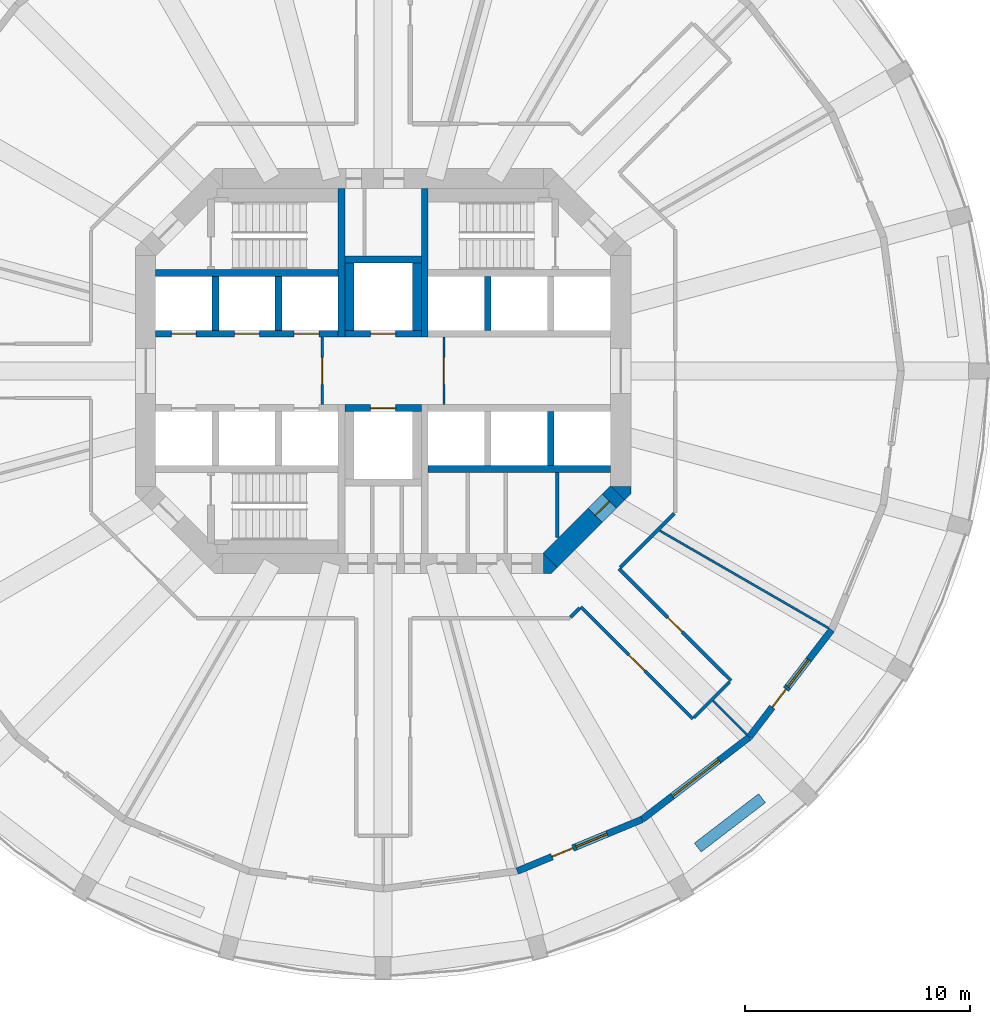
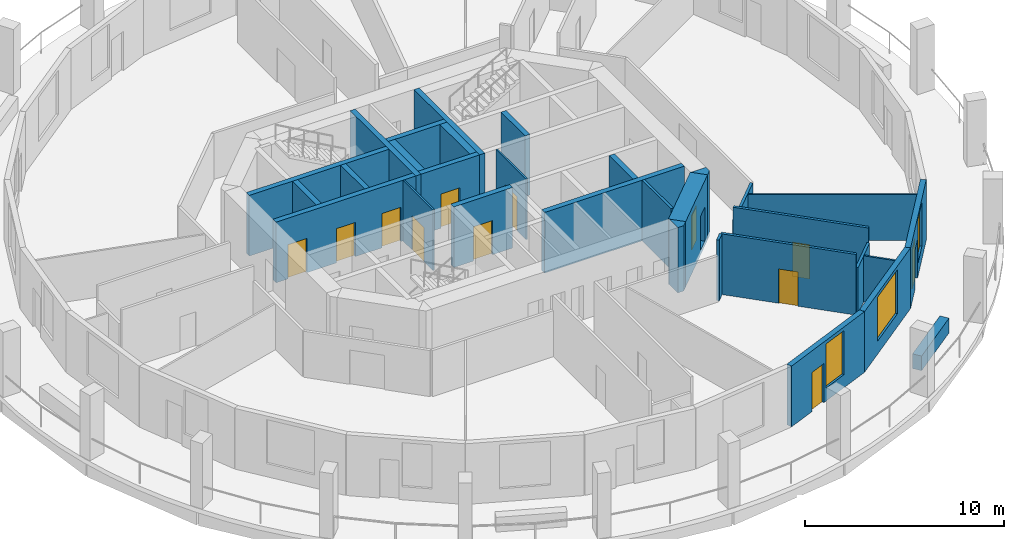
# One storey, part 4 of 9: 31 walls, 12 doors, 3 windows, 15 openings.
"""IFC4 building model written with IfcOpenShell, lengths in metres."""

from ifc_helpers import new_model, si_unit, direction, frame, frame_2d, origin, place, context, subcontext, project, spatial, polyline, rectangle, outline, extrude, material, layer, layer_set, type_object, element, fill, save


model = new_model("IFC4")

# Units and contexts
model_context = context("Model", 3, precision=1e-05, world=origin(), true_north=direction((0.0, 1.0)))
body_context = subcontext(model_context, "Body", "Model", "MODEL_VIEW")
ifc_project = project(units=[si_unit("LENGTHUNIT", "METRE"), si_unit("AREAUNIT", "SQUARE_METRE"), si_unit("VOLUMEUNIT", "CUBIC_METRE"), si_unit("PLANEANGLEUNIT", "RADIAN"), si_unit("MASSUNIT", "GRAM", prefix="KILO")], contexts=[model_context])

# Site, building, storey
site_placement = place(None, origin())
site = spatial("IfcSite", under=ifc_project, at=site_placement, CompositionType="ELEMENT")
building_placement = place(site_placement, origin())
building = spatial("IfcBuilding", under=site, at=building_placement, Name="Torre Triforio", CompositionType="ELEMENT")
storey_placement = place(building_placement, frame((0.0, 0.0, 55.0)))
storey = spatial("IfcBuildingStorey", under=building, at=storey_placement, Name="L11", CompositionType="ELEMENT", Elevation=55.0)

# Walls
ifc_material_1 = material(Name="Concrete C60", Category="concrete")
ifc_layer_1 = layer(ifc_material_1, 0.300048828125)
ifc_layer_set_1 = layer_set([ifc_layer_1], Name="Concrete C60")
wall_type_1 = type_object("IfcWallType", Name="Core wall 300 mm C60 EI 120", PredefinedType="SHEAR", material=ifc_layer_set_1)
for number, where, z_axis, x_axis, name in (
    (1, (-1.85009765625, 1.5, 0.0), (0.0, 0.0, 1.0), (0.0, 1.0, 0.0), "Core wall"),
    (2, (1.85009765625, 1.5, 0.0), (0.0, 0.0, 1.0), (0.0, 1.0, 0.0), "Core wall"),
):
    element("IfcWall", number, at=place(storey_placement, frame(where, z_axis=z_axis, x_axis=x_axis)), inside=storey, type_object=wall_type_1, Name=name, PredefinedType="SHEAR", context=body_context, shape_type="SweptSolid", body=[
        extrude(rectangle(XDim=6.60009765625, YDim=0.300048828125, at=frame_2d((3.300048828125, 0.0))), origin(), (0.0, 0.0, 1.0), 3.719970703125),
    ])

# Wall, opening, door
ifc_layer_2 = layer(ifc_material_1, 0.89990234375)
ifc_layer_set_2 = layer_set([ifc_layer_2], Name="Concrete C60")
wall_type_2 = type_object("IfcWallType", Name="Core wall 900 mm C60 EI 120", PredefinedType="SHEAR", material=ifc_layer_set_2)
wall_1_placement = place(storey_placement, frame((10.418212890625, -5.418212890625, -0.280029296875), z_axis=(0.0, 0.0, 1.0), x_axis=(-0.707106781187, -0.707106781187, 0.0)))
wall_1 = element("IfcWall", 3, at=wall_1_placement, inside=storey, type_object=wall_type_2, Name="Core wall", PredefinedType="SHEAR", context=body_context, shape_type="SweptSolid", body=[
    extrude(rectangle(XDim=4.24267578125, YDim=0.89990234375, at=frame_2d((2.121337890625, 0.0))), origin(), (0.0, 0.0, 1.0), 4.0),
])
opening_1_placement = place(wall_1_placement, frame((0.52001953125, 0.0, 0.280029296875)))
opening_1 = element("IfcOpeningElement", 4, at=opening_1_placement, cuts=wall_1, Name="Opening SE-04", PredefinedType="OPENING", context=body_context, shape_type="SweptSolid", body=[
    extrude(rectangle(XDim=0.89990234375, YDim=2.10009765625, at=frame_2d((0.449951171875, 1.050048828125))), frame((0.0, 0.4599609375, 0.0), z_axis=(0.0, -1.0, 0.0), x_axis=(1.0, 0.0, 0.0)), (0.0, 0.0, 1.0), 0.919921875),
])
ifc_material_2 = material(Name="Hollow metal fire door leaf")
door_type_1 = type_object("IfcDoorType", Name="Room door 900 x 2100 EI 60", OperationType="NOTDEFINED", PredefinedType="DOOR", material=ifc_material_2)
door_1_placement = place(opening_1_placement, origin())
door_1 = element("IfcDoor", 5, at=door_1_placement, inside=storey, type_object=door_type_1, Name="Core door SE-04", OperationType="SINGLE_SWING_RIGHT", OverallHeight=2.10009765625, OverallWidth=0.89990234375, PredefinedType="DOOR", context=body_context, shape_type="SweptSolid", body=[
    extrude(rectangle(XDim=0.89990234375, YDim=2.10009765625, at=frame_2d((0.449951171875, 1.050048828125))), frame((0.0, 0.02490234375, 0.0), z_axis=(0.0, -1.0, 0.0), x_axis=(1.0, 0.0, 0.0)), (0.0, 0.0, 1.0), 0.050048828125),
])
fill(opening_1, door_1)

# Walls
wall_2_placement = place(storey_placement, frame((0.0, 0.0, -0.280029296875)))
element("IfcWall", 6, at=wall_2_placement, inside=storey, type_object=wall_type_2, Name="Core wall", PredefinedType="SHEAR", context=body_context, shape_type="SweptSolid", body=[
    extrude(outline(polyline([(7.472900390625, -9.0), (7.1298828125, -9.0), (7.1298828125, -8.1298828125), (7.736328125, -8.736328125), (7.472900390625, -9.0)])), origin(), (0.0, 0.0, 1.0), 4.0),
])
wall_3_placement = place(storey_placement, frame((0.0, 0.0, -0.280029296875)))
element("IfcWall", 7, at=wall_3_placement, inside=storey, type_object=wall_type_2, Name="Core wall", PredefinedType="SHEAR", context=body_context, shape_type="SweptSolid", body=[
    extrude(outline(polyline([(11.0, -5.472900390625), (10.736328125, -5.736328125), (10.1298828125, -5.1298828125), (11.0, -5.1298828125), (11.0, -5.472900390625)])), origin(), (0.0, 0.0, 1.0), 4.0),
])
ifc_material_3 = material(Name="Plasterboard on metal studs")
ifc_layer_3 = layer(ifc_material_3, 0.14990234375)
ifc_layer_set_3 = layer_set([ifc_layer_3], Name="Plasterboard on metal studs")
wall_type_3 = type_object("IfcWallType", Name="Corridor and tenancy wall 150 mm EI 60", PredefinedType="PARTITIONING", material=ifc_layer_set_3)
wall_4_placement = place(storey_placement, frame((15.396240234375, -13.805419921875, 0.0), z_axis=(0.0, 0.0, 1.0), x_axis=(-0.707106781187, -0.707106781187, 0.0)))
element("IfcWall", 8, at=wall_4_placement, inside=storey, type_object=wall_type_3, Name="Partition 1", PredefinedType="PARTITIONING", context=body_context, shape_type="SweptSolid", body=[
    extrude(rectangle(XDim=2.249755859375, YDim=0.14990234375, at=frame_2d((1.125, 0.0))), origin(), (0.0, 0.0, 1.0), 2.820068359375),
])

# Wall, opening, door
wall_5_placement = place(storey_placement, frame((13.752197265625, -15.449462890625, 0.0), z_axis=(0.0, 0.0, 1.0), x_axis=(-0.707089406061, 0.707124155885, 0.0)))
wall_5 = element("IfcWall", 9, at=wall_5_placement, inside=storey, type_object=wall_type_3, Name="Partition 2", PredefinedType="PARTITIONING", context=body_context, shape_type="SweptSolid", body=[
    extrude(rectangle(XDim=7.025634765625, YDim=0.14990234375, at=frame_2d((3.5126953125, 0.0))), origin(), (0.0, 0.0, 1.0), 3.719970703125),
])
opening_2_placement = place(wall_5_placement, frame((3.0126953125, 0.0, 0.0)))
opening_2 = element("IfcOpeningElement", 10, at=opening_2_placement, cuts=wall_5, Name="Opening N3-07", PredefinedType="OPENING", context=body_context, shape_type="SweptSolid", body=[
    extrude(rectangle(XDim=1.0, YDim=2.10009765625, at=frame_2d((0.5, 1.050048828125))), frame((0.0, 0.0849609375, 0.0), z_axis=(0.0, -1.0, 0.0), x_axis=(1.0, 0.0, 0.0)), (0.0, 0.0, 1.0), 0.169921875),
])
ifc_material_4 = material(Name="Timber", Category="wood")
door_type_2 = type_object("IfcDoorType", Name="Door 1000 x 2100 single leaf EI 30", OperationType="NOTDEFINED", PredefinedType="DOOR", material=ifc_material_4)
door_2_placement = place(opening_2_placement, origin())
door_2 = element("IfcDoor", 11, at=door_2_placement, inside=storey, type_object=door_type_2, Name="Door N3-07", OperationType="SINGLE_SWING_RIGHT", OverallHeight=2.10009765625, OverallWidth=1.0, PredefinedType="DOOR", context=body_context, shape_type="SweptSolid", body=[
    extrude(rectangle(XDim=1.0, YDim=2.10009765625, at=frame_2d((0.5, 1.050048828125))), frame((0.0, 0.02490234375, 0.0), z_axis=(0.0, -1.0, 0.0), x_axis=(1.0, 0.0, 0.0)), (0.0, 0.0, 1.0), 0.050048828125),
])
fill(opening_2, door_2)

# Walls
wall_6_placement = place(storey_placement, frame((8.7314453125, -10.534423828125, 0.0), z_axis=(0.0, 0.0, 1.0), x_axis=(-0.707106781187, -0.707106781187, 0.0)))
element("IfcWall", 12, at=wall_6_placement, inside=storey, type_object=wall_type_3, Name="Partition 3", PredefinedType="PARTITIONING", context=body_context, shape_type="SweptSolid", body=[
    extrude(rectangle(XDim=0.57080078125, YDim=0.14990234375, at=frame_2d((0.285400390625, 0.0))), origin(), (0.0, 0.0, 1.0), 3.719970703125),
])
wall_7_placement = place(storey_placement, frame((12.93798828125, -6.327880859375, 0.0), z_axis=(0.0, 0.0, 1.0), x_axis=(-0.707106781187, -0.707106781187, 0.0)))
element("IfcWall", 13, at=wall_7_placement, inside=storey, type_object=wall_type_3, Name="Partition 29", PredefinedType="PARTITIONING", context=body_context, shape_type="SweptSolid", body=[
    extrude(rectangle(XDim=3.399169921875, YDim=0.14990234375, at=frame_2d((1.69970703125, 0.0))), origin(), (0.0, 0.0, 1.0), 2.820068359375),
])

# Wall, opening, door
wall_8_placement = place(storey_placement, frame((10.4814453125, -8.784423828125, 0.0), z_axis=(0.0, 0.0, 1.0), x_axis=(0.707124155885, -0.707089406061, 0.0)))
wall_8 = element("IfcWall", 14, at=wall_8_placement, inside=storey, type_object=wall_type_3, Name="Partition 30", PredefinedType="PARTITIONING", context=body_context, shape_type="SweptSolid", body=[
    extrude(rectangle(XDim=7.025634765625, YDim=0.14990234375, at=frame_2d((3.5126953125, 0.0))), origin(), (0.0, 0.0, 1.0), 3.719970703125),
])
opening_3_placement = place(wall_8_placement, frame((3.062744140625, 0.0, 0.0)))
opening_3 = element("IfcOpeningElement", 15, at=opening_3_placement, cuts=wall_8, Name="Opening N3-08", PredefinedType="OPENING", context=body_context, shape_type="SweptSolid", body=[
    extrude(rectangle(XDim=0.89990234375, YDim=2.10009765625, at=frame_2d((0.449951171875, 1.050048828125))), frame((0.0, 0.0849609375, 0.0), z_axis=(0.0, -1.0, 0.0), x_axis=(1.0, 0.0, 0.0)), (0.0, 0.0, 1.0), 0.169921875),
])
door_type_3 = type_object("IfcDoorType", Name="Door 900 x 2100 single leaf EI 30", OperationType="NOTDEFINED", PredefinedType="DOOR", material=ifc_material_4)
door_3_placement = place(opening_3_placement, origin())
door_3 = element("IfcDoor", 16, at=door_3_placement, inside=storey, type_object=door_type_3, Name="Door N3-08", OperationType="SINGLE_SWING_LEFT", OverallHeight=2.10009765625, OverallWidth=0.89990234375, PredefinedType="DOOR", context=body_context, shape_type="SweptSolid", body=[
    extrude(rectangle(XDim=0.89990234375, YDim=2.10009765625, at=frame_2d((0.449951171875, 1.050048828125))), frame((0.0, 0.02490234375, 0.0), z_axis=(0.0, -1.0, 0.0), x_axis=(1.0, 0.0, 0.0)), (0.0, 0.0, 1.0), 0.050048828125),
])
fill(opening_3, door_3)

ifc_material_5 = material(Name="Block and board partition")
ifc_layer_4 = layer(ifc_material_5, 0.10009765625)
ifc_layer_set_4 = layer_set([ifc_layer_4], Name="Block and board partition")
wall_type_4 = type_object("IfcWallType", Name="Partition 100 mm EI 120", PredefinedType="PARTITIONING", material=ifc_layer_set_4)
wall_9_placement = place(storey_placement, frame((-2.699951171875, -1.5, 0.0), z_axis=(0.0, 0.0, 1.0), x_axis=(0.0, 1.0, 0.0)))
wall_9 = element("IfcWall", 17, at=wall_9_placement, inside=storey, type_object=wall_type_4, Name="Partition", PredefinedType="PARTITIONING", context=body_context, shape_type="SweptSolid", body=[
    extrude(rectangle(XDim=3.0, YDim=0.10009765625, at=frame_2d((1.5, 0.0))), origin(), (0.0, 0.0, 1.0), 3.719970703125),
])
opening_4_placement = place(wall_9_placement, frame((0.89990234375, 0.0, 0.0)))
opening_4 = element("IfcOpeningElement", 18, at=opening_4_placement, cuts=wall_9, Name="Opening FF-W", PredefinedType="OPENING", context=body_context, shape_type="SweptSolid", body=[
    extrude(rectangle(XDim=1.199951171875, YDim=2.10009765625, at=frame_2d((0.60009765625, 1.050048828125))), frame((0.0, 0.06005859375, 0.0), z_axis=(0.0, -1.0, 0.0), x_axis=(1.0, 0.0, 0.0)), (0.0, 0.0, 1.0), 0.1201171875),
])
door_type_4 = type_object("IfcDoorType", Name="Fire-fighting lobby door 1200 x 2100 EI 60", OperationType="NOTDEFINED", PredefinedType="DOOR", material=ifc_material_2)
door_4_placement = place(opening_4_placement, origin())
door_4 = element("IfcDoor", 19, at=door_4_placement, inside=storey, type_object=door_type_4, Name="Core door FF-W", OperationType="SINGLE_SWING_RIGHT", OverallHeight=2.10009765625, OverallWidth=1.199951171875, PredefinedType="DOOR", context=body_context, shape_type="SweptSolid", body=[
    extrude(rectangle(XDim=1.199951171875, YDim=2.10009765625, at=frame_2d((0.60009765625, 1.050048828125))), frame((0.0, 0.02490234375, 0.0), z_axis=(0.0, -1.0, 0.0), x_axis=(1.0, 0.0, 0.0)), (0.0, 0.0, 1.0), 0.050048828125),
])
fill(opening_4, door_4)

wall_10_placement = place(storey_placement, frame((2.699951171875, -1.5, 0.0), z_axis=(0.0, 0.0, 1.0), x_axis=(0.0, 1.0, 0.0)))
wall_10 = element("IfcWall", 20, at=wall_10_placement, inside=storey, type_object=wall_type_4, Name="Partition", PredefinedType="PARTITIONING", context=body_context, shape_type="SweptSolid", body=[
    extrude(rectangle(XDim=3.0, YDim=0.10009765625, at=frame_2d((1.5, 0.0))), origin(), (0.0, 0.0, 1.0), 3.719970703125),
])
opening_5_placement = place(wall_10_placement, frame((0.89990234375, 0.0, 0.0)))
opening_5 = element("IfcOpeningElement", 21, at=opening_5_placement, cuts=wall_10, Name="Opening FF-E", PredefinedType="OPENING", context=body_context, shape_type="SweptSolid", body=[
    extrude(rectangle(XDim=1.199951171875, YDim=2.10009765625, at=frame_2d((0.60009765625, 1.050048828125))), frame((0.0, 0.06005859375, 0.0), z_axis=(0.0, -1.0, 0.0), x_axis=(1.0, 0.0, 0.0)), (0.0, 0.0, 1.0), 0.1201171875),
])
door_5_placement = place(opening_5_placement, origin())
door_5 = element("IfcDoor", 22, at=door_5_placement, inside=storey, type_object=door_type_4, Name="Core door FF-E", OperationType="SINGLE_SWING_RIGHT", OverallHeight=2.10009765625, OverallWidth=1.199951171875, PredefinedType="DOOR", context=body_context, shape_type="SweptSolid", body=[
    extrude(rectangle(XDim=1.199951171875, YDim=2.10009765625, at=frame_2d((0.60009765625, 1.050048828125))), frame((0.0, 0.02490234375, 0.0), z_axis=(0.0, -1.0, 0.0), x_axis=(1.0, 0.0, 0.0)), (0.0, 0.0, 1.0), 0.050048828125),
])
fill(opening_5, door_5)

# Walls
ifc_layer_5 = layer(ifc_material_3, 0.10009765625)
ifc_layer_set_5 = layer_set([ifc_layer_5], Name="Plasterboard on metal studs")
wall_type_5 = type_object("IfcWallType", Name="Partition 100 mm board on metal studs", PredefinedType="PARTITIONING", material=ifc_layer_set_5)
wall_11_placement = place(storey_placement, frame((14.65380859375, -14.65380859375, 0.0), z_axis=(0.0, 0.0, 1.0), x_axis=(0.707106781187, -0.707106781187, 0.0)))
element("IfcWall", 23, at=wall_11_placement, inside=storey, type_object=wall_type_5, Name="Partition 42", PredefinedType="PARTITIONING", context=body_context, shape_type="SweptSolid", body=[
    extrude(rectangle(XDim=2.113037109375, YDim=0.10009765625, at=frame_2d((1.056640625, 0.0))), origin(), (0.0, 0.0, 1.0), 2.820068359375),
])
wall_12_placement = place(storey_placement, frame((12.294189453125, -7.097900390625, 0.0), z_axis=(0.0, 0.0, 1.0), x_axis=(0.866010547425, -0.500025731086, 0.0)))
element("IfcWall", 24, at=wall_12_placement, inside=storey, type_object=wall_type_5, Name="Partition 43", PredefinedType="PARTITIONING", context=body_context, shape_type="SweptSolid", body=[
    extrude(rectangle(XDim=8.640625, YDim=0.10009765625, at=frame_2d((4.3203125, 0.0))), origin(), (0.0, 0.0, 1.0), 2.820068359375),
])
ifc_layer_6 = layer(ifc_material_5, 0.14990234375)
ifc_layer_set_6 = layer_set([ifc_layer_6], Name="Block and board partition")
wall_type_6 = type_object("IfcWallType", Name="Partition 150 mm", PredefinedType="PARTITIONING", material=ifc_layer_set_6)
wall_13_placement = place(storey_placement, frame((7.72998046875, -7.39501953125, 0.0), z_axis=(0.0, 0.0, 1.0), x_axis=(0.0, 1.0, 0.0)))
element("IfcWall", 25, at=wall_13_placement, inside=storey, type_object=wall_type_6, Name="Partition", PredefinedType="PARTITIONING", context=body_context, shape_type="SweptSolid", body=[
    extrude(rectangle(XDim=2.89501953125, YDim=0.14990234375, at=frame_2d((1.447509765625, 0.0))), origin(), (0.0, 0.0, 1.0), 3.719970703125),
])
ifc_material_6 = material(Name="Limestone cladding", Category="masonry")
ifc_layer_7 = layer(ifc_material_6, 0.10009765625)
ifc_material_7 = material(Name="Concrete C40", Category="concrete")
ifc_layer_8 = layer(ifc_material_7, 0.39990234375)
ifc_layer_set_7 = layer_set([ifc_layer_7, ifc_layer_8], Name="Limestone cladding / Concrete C40")
wall_type_7 = type_object("IfcWallType", Name="Planter wall 500", PredefinedType="PARAPET", material=ifc_layer_set_7)
wall_14_placement = place(storey_placement, frame((13.9736328125, -21.16748046875, 0.0), z_axis=(0.0, 0.0, 1.0), x_axis=(0.793359599829, 0.608753271334, 0.0)))
element("IfcWall", 26, at=wall_14_placement, inside=storey, type_object=wall_type_7, Name="Planter L11 bay 21", PredefinedType="PARAPET", context=body_context, shape_type="SweptSolid", body=[
    extrude(rectangle(XDim=3.599853515625, YDim=0.5, at=frame_2d((1.7998046875, 0.0))), origin(), (0.0, 0.0, 1.0), 0.89990234375),
])
ifc_layer_9 = layer(ifc_material_1, 0.300048828125)
ifc_layer_set_8 = layer_set([ifc_layer_9], Name="Concrete C60")
wall_type_8 = type_object("IfcWallType", Name="Shaft wall 300 mm C60 EI 120", PredefinedType="SOLIDWALL", material=ifc_layer_set_8)
for number, where, z_axis, x_axis, name in (
    (27, (-10.10009765625, 4.35009765625, 0.0), (0.0, 0.0, 1.0), (1.0, 0.0, 0.0), "Shaft wall"),
    (28, (2.0, -4.35009765625, 0.0), (0.0, 0.0, 1.0), (1.0, 0.0, 0.0), "Shaft wall"),
):
    element("IfcWall", number, at=place(storey_placement, frame(where, z_axis=z_axis, x_axis=x_axis)), inside=storey, type_object=wall_type_8, Name=name, PredefinedType="SOLIDWALL", context=body_context, shape_type="SweptSolid", body=[
        extrude(rectangle(XDim=8.10009765625, YDim=0.300048828125, at=frame_2d((4.050048828125, 0.0))), origin(), (0.0, 0.0, 1.0), 3.719970703125),
    ])

# Wall, openings, doors
wall_15_placement = place(storey_placement, frame((-10.10009765625, 1.64990234375, 0.0), z_axis=(0.0, 0.0, 1.0), x_axis=(1.0, 0.0, 0.0)))
wall_15 = element("IfcWall", 29, at=wall_15_placement, inside=storey, type_object=wall_type_8, Name="Shaft wall", PredefinedType="SOLIDWALL", context=body_context, shape_type="SweptSolid", body=[
    extrude(rectangle(XDim=8.10009765625, YDim=0.300048828125, at=frame_2d((4.050048828125, 0.0))), origin(), (0.0, 0.0, 1.0), 3.719970703125),
])
opening_6_placement = place(wall_15_placement, frame((0.699951171875, 0.0, 0.0)))
opening_6 = element("IfcOpeningElement", 30, at=opening_6_placement, cuts=wall_15, Name="Opening LD", PredefinedType="OPENING", context=body_context, shape_type="SweptSolid", body=[
    extrude(rectangle(XDim=1.10009765625, YDim=2.10009765625, at=frame_2d((0.550048828125, 1.050048828125))), frame((0.0, 0.159912109375, 0.0), z_axis=(0.0, -1.0, 0.0), x_axis=(1.0, 0.0, 0.0)), (0.0, 0.0, 1.0), 0.320068359375),
])
opening_7_placement = place(wall_15_placement, frame((3.5, 0.0, 0.0)))
opening_7 = element("IfcOpeningElement", 31, at=opening_7_placement, cuts=wall_15, Name="Opening LD", PredefinedType="OPENING", context=body_context, shape_type="SweptSolid", body=[
    extrude(rectangle(XDim=1.10009765625, YDim=2.10009765625, at=frame_2d((0.550048828125, 1.050048828125))), frame((0.0, 0.159912109375, 0.0), z_axis=(0.0, -1.0, 0.0), x_axis=(1.0, 0.0, 0.0)), (0.0, 0.0, 1.0), 0.320068359375),
])
opening_8_placement = place(wall_15_placement, frame((6.14990234375, 0.0, 0.0)))
opening_8 = element("IfcOpeningElement", 32, at=opening_8_placement, cuts=wall_15, Name="Opening LD", PredefinedType="OPENING", context=body_context, shape_type="SweptSolid", body=[
    extrude(rectangle(XDim=1.10009765625, YDim=2.10009765625, at=frame_2d((0.550048828125, 1.050048828125))), frame((0.0, 0.159912109375, 0.0), z_axis=(0.0, -1.0, 0.0), x_axis=(1.0, 0.0, 0.0)), (0.0, 0.0, 1.0), 0.320068359375),
])
door_type_5 = type_object("IfcDoorType", Name="Landing door 1100 x 2100 EI 60", OperationType="DOUBLE_DOOR_SLIDING", PredefinedType="DOOR", material=ifc_material_2)
door_6_placement = place(opening_6_placement, origin())
door_6 = element("IfcDoor", 33, at=door_6_placement, inside=storey, type_object=door_type_5, Name="Landing door LR1", OperationType="DOUBLE_DOOR_SLIDING", OverallHeight=2.10009765625, OverallWidth=1.10009765625, PredefinedType="DOOR", context=body_context, shape_type="SweptSolid", body=[
    extrude(rectangle(XDim=1.10009765625, YDim=2.10009765625, at=frame_2d((0.550048828125, 1.050048828125))), frame((0.0, 0.02490234375, 0.0), z_axis=(0.0, -1.0, 0.0), x_axis=(1.0, 0.0, 0.0)), (0.0, 0.0, 1.0), 0.050048828125),
])
fill(opening_6, door_6)
door_7_placement = place(opening_7_placement, origin())
door_7 = element("IfcDoor", 34, at=door_7_placement, inside=storey, type_object=door_type_5, Name="Landing door LR2", OperationType="DOUBLE_DOOR_SLIDING", OverallHeight=2.10009765625, OverallWidth=1.10009765625, PredefinedType="DOOR", context=body_context, shape_type="SweptSolid", body=[
    extrude(rectangle(XDim=1.10009765625, YDim=2.10009765625, at=frame_2d((0.550048828125, 1.050048828125))), frame((0.0, 0.02490234375, 0.0), z_axis=(0.0, -1.0, 0.0), x_axis=(1.0, 0.0, 0.0)), (0.0, 0.0, 1.0), 0.050048828125),
])
fill(opening_7, door_7)
door_8_placement = place(opening_8_placement, origin())
door_8 = element("IfcDoor", 35, at=door_8_placement, inside=storey, type_object=door_type_5, Name="Landing door LR3", OperationType="DOUBLE_DOOR_SLIDING", OverallHeight=2.10009765625, OverallWidth=1.10009765625, PredefinedType="DOOR", context=body_context, shape_type="SweptSolid", body=[
    extrude(rectangle(XDim=1.10009765625, YDim=2.10009765625, at=frame_2d((0.550048828125, 1.050048828125))), frame((0.0, 0.02490234375, 0.0), z_axis=(0.0, -1.0, 0.0), x_axis=(1.0, 0.0, 0.0)), (0.0, 0.0, 1.0), 0.050048828125),
])
fill(opening_8, door_8)

# Walls
for number, where, z_axis, x_axis, name in (
    (36, (-7.449951171875, 1.800048828125, 0.0), (0.0, 0.0, 1.0), (0.0, 1.0, 0.0), "Shaft wall"),
    (37, (-4.64990234375, 1.800048828125, 0.0), (0.0, 0.0, 1.0), (0.0, 1.0, 0.0), "Shaft wall"),
    (38, (4.64990234375, 1.800048828125, 0.0), (0.0, 0.0, 1.0), (0.0, 1.0, 0.0), "Shaft wall"),
    (39, (7.449951171875, -4.199951171875, 0.0), (0.0, 0.0, 1.0), (0.0, 1.0, 0.0), "Shaft wall"),
):
    element("IfcWall", number, at=place(storey_placement, frame(where, z_axis=z_axis, x_axis=x_axis)), inside=storey, type_object=wall_type_8, Name=name, PredefinedType="SOLIDWALL", context=body_context, shape_type="SweptSolid", body=[
        extrude(rectangle(XDim=2.39990234375, YDim=0.300048828125, at=frame_2d((1.199951171875, 0.0))), origin(), (0.0, 0.0, 1.0), 3.719970703125),
    ])

# Wall, opening, door
wall_16_placement = place(storey_placement, frame((-1.699951171875, 1.64990234375, 0.0), z_axis=(0.0, 0.0, 1.0), x_axis=(1.0, 0.0, 0.0)))
wall_16 = element("IfcWall", 40, at=wall_16_placement, inside=storey, type_object=wall_type_8, Name="Shaft wall", PredefinedType="SOLIDWALL", context=body_context, shape_type="SweptSolid", body=[
    extrude(rectangle(XDim=3.39990234375, YDim=0.300048828125, at=frame_2d((1.699951171875, 0.0))), origin(), (0.0, 0.0, 1.0), 3.719970703125),
])
opening_9_placement = place(wall_16_placement, frame((1.14990234375, 0.0, 0.0)))
opening_9 = element("IfcOpeningElement", 41, at=opening_9_placement, cuts=wall_16, Name="Opening LD", PredefinedType="OPENING", context=body_context, shape_type="SweptSolid", body=[
    extrude(rectangle(XDim=1.10009765625, YDim=2.10009765625, at=frame_2d((0.550048828125, 1.050048828125))), frame((0.0, 0.159912109375, 0.0), z_axis=(0.0, -1.0, 0.0), x_axis=(1.0, 0.0, 0.0)), (0.0, 0.0, 1.0), 0.320068359375),
])
door_9_placement = place(opening_9_placement, origin())
door_9 = element("IfcDoor", 42, at=door_9_placement, inside=storey, type_object=door_type_5, Name="Landing door FFL1", OperationType="DOUBLE_DOOR_SLIDING", OverallHeight=2.10009765625, OverallWidth=1.10009765625, PredefinedType="DOOR", context=body_context, shape_type="SweptSolid", body=[
    extrude(rectangle(XDim=1.10009765625, YDim=2.10009765625, at=frame_2d((0.550048828125, 1.050048828125))), frame((0.0, 0.02490234375, 0.0), z_axis=(0.0, -1.0, 0.0), x_axis=(1.0, 0.0, 0.0)), (0.0, 0.0, 1.0), 0.050048828125),
])
fill(opening_9, door_9)

wall_17_placement = place(storey_placement, frame((-1.699951171875, -1.64990234375, 0.0), z_axis=(0.0, 0.0, 1.0), x_axis=(1.0, 0.0, 0.0)))
wall_17 = element("IfcWall", 43, at=wall_17_placement, inside=storey, type_object=wall_type_8, Name="Shaft wall", PredefinedType="SOLIDWALL", context=body_context, shape_type="SweptSolid", body=[
    extrude(rectangle(XDim=3.39990234375, YDim=0.300048828125, at=frame_2d((1.699951171875, 0.0))), origin(), (0.0, 0.0, 1.0), 3.719970703125),
])
opening_10_placement = place(wall_17_placement, frame((1.14990234375, 0.0, 0.0)))
opening_10 = element("IfcOpeningElement", 44, at=opening_10_placement, cuts=wall_17, Name="Opening LD", PredefinedType="OPENING", context=body_context, shape_type="SweptSolid", body=[
    extrude(rectangle(XDim=1.10009765625, YDim=2.10009765625, at=frame_2d((0.550048828125, 1.050048828125))), frame((0.0, 0.159912109375, 0.0), z_axis=(0.0, -1.0, 0.0), x_axis=(1.0, 0.0, 0.0)), (0.0, 0.0, 1.0), 0.320068359375),
])
door_10_placement = place(opening_10_placement, origin())
door_10 = element("IfcDoor", 45, at=door_10_placement, inside=storey, type_object=door_type_5, Name="Landing door FFL2", OperationType="DOUBLE_DOOR_SLIDING", OverallHeight=2.10009765625, OverallWidth=1.10009765625, PredefinedType="DOOR", context=body_context, shape_type="SweptSolid", body=[
    extrude(rectangle(XDim=1.10009765625, YDim=2.10009765625, at=frame_2d((0.550048828125, 1.050048828125))), frame((0.0, 0.02490234375, 0.0), z_axis=(0.0, -1.0, 0.0), x_axis=(1.0, 0.0, 0.0)), (0.0, 0.0, 1.0), 0.050048828125),
])
fill(opening_10, door_10)

# Walls
wall_18_placement = place(storey_placement, frame((-1.699951171875, 4.949951171875, 0.0), z_axis=(0.0, 0.0, 1.0), x_axis=(1.0, 0.0, 0.0)))
element("IfcWall", 46, at=wall_18_placement, inside=storey, type_object=wall_type_8, Name="Shaft wall", PredefinedType="SOLIDWALL", context=body_context, shape_type="SweptSolid", body=[
    extrude(rectangle(XDim=3.39990234375, YDim=0.300048828125, at=frame_2d((1.699951171875, 0.0))), origin(), (0.0, 0.0, 1.0), 3.719970703125),
])
ifc_layer_10 = layer(ifc_material_1, 0.39990234375)
ifc_layer_set_9 = layer_set([ifc_layer_10], Name="Concrete C60")
wall_type_9 = type_object("IfcWallType", Name="Shaft wall 400 mm C60 EI 120", PredefinedType="SOLIDWALL", material=ifc_layer_set_9)
for number, where, z_axis, x_axis, name in (
    (47, (-1.5, 1.800048828125, 0.0), (0.0, 0.0, 1.0), (0.0, 1.0, 0.0), "Shaft wall"),
    (48, (1.5, 1.800048828125, 0.0), (0.0, 0.0, 1.0), (0.0, 1.0, 0.0), "Shaft wall"),
):
    element("IfcWall", number, at=place(storey_placement, frame(where, z_axis=z_axis, x_axis=x_axis)), inside=storey, type_object=wall_type_9, Name=name, PredefinedType="SOLIDWALL", context=body_context, shape_type="SweptSolid", body=[
        extrude(rectangle(XDim=3.0, YDim=0.39990234375, at=frame_2d((1.5, 0.0))), origin(), (0.0, 0.0, 1.0), 3.719970703125),
    ])

# Wall, openings, door, window
ifc_layer_11 = layer(ifc_material_6, 0.10009765625)
ifc_layer_12 = layer(ifc_material_7, 0.199951171875)
ifc_layer_set_10 = layer_set([ifc_layer_11, ifc_layer_12], Name="Limestone cladding / Concrete C40")
wall_type_10 = type_object("IfcWallType", Name="Stone-faced composite wall 300", PredefinedType="STANDARD", material=ifc_layer_set_10)
wall_19_placement = place(storey_placement, frame((5.952880859375, -22.21630859375, 0.0), z_axis=(0.0, 0.0, 1.0), x_axis=(0.923884511653, 0.382671411433, 0.0)))
wall_19 = element("IfcWall", 49, at=wall_19_placement, inside=storey, type_object=wall_type_10, Name="External wall L11 bay 20", PredefinedType="STANDARD", context=body_context, shape_type="SweptSolid", body=[
    extrude(rectangle(XDim=6.004150390625, YDim=0.300048828125, at=frame_2d((3.001953125, 0.0))), origin(), (0.0, 0.0, 1.0), 3.719970703125),
])
opening_11_placement = place(wall_19_placement, frame((1.677001953125, 0.0, 0.0)))
opening_11 = element("IfcOpeningElement", 50, at=opening_11_placement, cuts=wall_19, Name="Opening N3-D20", PredefinedType="OPENING", context=body_context, shape_type="SweptSolid", body=[
    extrude(rectangle(XDim=1.0, YDim=2.39990234375, at=frame_2d((0.5, 1.199951171875))), frame((0.0, 0.159912109375, 0.0), z_axis=(0.0, -1.0, 0.0), x_axis=(1.0, 0.0, 0.0)), (0.0, 0.0, 1.0), 0.320068359375),
])
opening_12_placement = place(wall_19_placement, frame((2.8271484375, 0.0, 0.800048828125)))
opening_12 = element("IfcOpeningElement", 51, at=opening_12_placement, cuts=wall_19, Name="Opening N3-W20A", PredefinedType="OPENING", context=body_context, shape_type="SweptSolid", body=[
    extrude(rectangle(XDim=1.5, YDim=2.699951171875, at=frame_2d((0.75, 1.35009765625))), frame((0.0, 0.159912109375, 0.0), z_axis=(0.0, -1.0, 0.0), x_axis=(1.0, 0.0, 0.0)), (0.0, 0.0, 1.0), 0.320068359375),
])
ifc_material_8 = material(Name="Aluminium frame with clear double glazing", Category="aluminium")
door_type_6 = type_object("IfcDoorType", Name="Loggia door 1000 x 2400", OperationType="NOTDEFINED", PredefinedType="DOOR", material=ifc_material_8)
door_11_placement = place(opening_11_placement, origin())
door_11 = element("IfcDoor", 52, at=door_11_placement, inside=storey, type_object=door_type_6, Name="Loggia door L11 bay 20", OperationType="SINGLE_SWING_LEFT", OverallHeight=2.39990234375, OverallWidth=1.0, PredefinedType="DOOR", context=body_context, shape_type="SweptSolid", body=[
    extrude(rectangle(XDim=1.0, YDim=2.39990234375, at=frame_2d((0.5, 1.199951171875))), frame((0.0, 0.02490234375, 0.0), z_axis=(0.0, -1.0, 0.0), x_axis=(1.0, 0.0, 0.0)), (0.0, 0.0, 1.0), 0.050048828125),
])
fill(opening_11, door_11)
window_type_1 = type_object("IfcWindowType", Name="Side window 1500 x 2700", PartitioningType="SINGLE_PANEL", PredefinedType="WINDOW", material=ifc_material_8)
window_1_placement = place(opening_12_placement, origin())
window_1 = element("IfcWindow", 53, at=window_1_placement, inside=storey, type_object=window_type_1, Name="Side window EWN12 L11 bay 20", OverallHeight=2.699951171875, OverallWidth=1.5, PartitioningType="SINGLE_PANEL", PredefinedType="WINDOW", context=body_context, shape_type="SweptSolid", body=[
    extrude(rectangle(XDim=1.5, YDim=2.699951171875, at=frame_2d((0.75, 1.35009765625))), frame((0.0, 0.030029296875, 0.0), z_axis=(0.0, -1.0, 0.0), x_axis=(1.0, 0.0, 0.0)), (0.0, 0.0, 1.0), 0.06005859375),
])
fill(opening_12, window_1)

# Wall, opening, window
wall_20_placement = place(storey_placement, frame((11.5, -19.918701171875, 0.0), z_axis=(0.0, 0.0, 1.0), x_axis=(0.793339924758, 0.608778912074, 0.0)))
wall_20 = element("IfcWall", 54, at=wall_20_placement, inside=storey, type_object=wall_type_10, Name="External wall L11 bay 21", PredefinedType="STANDARD", context=body_context, shape_type="SweptSolid", body=[
    extrude(rectangle(XDim=6.004150390625, YDim=0.300048828125, at=frame_2d((3.001953125, 0.0))), origin(), (0.0, 0.0, 1.0), 3.719970703125),
])
opening_13_placement = place(wall_20_placement, frame((1.7021484375, 0.0, 0.800048828125)))
opening_13 = element("IfcOpeningElement", 55, at=opening_13_placement, cuts=wall_20, Name="Opening N3-W21", PredefinedType="OPENING", context=body_context, shape_type="SweptSolid", body=[
    extrude(rectangle(XDim=2.60009765625, YDim=2.699951171875, at=frame_2d((1.300048828125, 1.35009765625))), frame((0.0, 0.159912109375, 0.0), z_axis=(0.0, -1.0, 0.0), x_axis=(1.0, 0.0, 0.0)), (0.0, 0.0, 1.0), 0.320068359375),
])
window_type_2 = type_object("IfcWindowType", Name="Punched window 2600 x 2700", PartitioningType="DOUBLE_PANEL_VERTICAL", PredefinedType="WINDOW", material=ifc_material_8)
window_2_placement = place(opening_13_placement, origin())
window_2 = element("IfcWindow", 56, at=window_2_placement, inside=storey, type_object=window_type_2, Name="Window EWN2 L11 bay 21", OverallHeight=2.699951171875, OverallWidth=2.60009765625, PartitioningType="SINGLE_PANEL", PredefinedType="WINDOW", context=body_context, shape_type="SweptSolid", body=[
    extrude(rectangle(XDim=2.60009765625, YDim=2.699951171875, at=frame_2d((1.300048828125, 1.35009765625))), frame((0.0, 0.030029296875, 0.0), z_axis=(0.0, -1.0, 0.0), x_axis=(1.0, 0.0, 0.0)), (0.0, 0.0, 1.0), 0.06005859375),
])
fill(opening_13, window_2)

# Wall, openings, door, window
wall_21_placement = place(storey_placement, frame((16.263427734375, -16.263427734375, 0.0), z_axis=(0.0, 0.0, 1.0), x_axis=(0.608778912074, 0.793339924758, 0.0)))
wall_21 = element("IfcWall", 57, at=wall_21_placement, inside=storey, type_object=wall_type_10, Name="External wall L11 bay 22", PredefinedType="STANDARD", context=body_context, shape_type="SweptSolid", body=[
    extrude(rectangle(XDim=6.004150390625, YDim=0.300048828125, at=frame_2d((3.001953125, 0.0))), origin(), (0.0, 0.0, 1.0), 3.719970703125),
])
opening_14_placement = place(wall_21_placement, frame((1.677001953125, 0.0, 0.0)))
opening_14 = element("IfcOpeningElement", 58, at=opening_14_placement, cuts=wall_21, Name="Opening N3-D22", PredefinedType="OPENING", context=body_context, shape_type="SweptSolid", body=[
    extrude(rectangle(XDim=1.0, YDim=2.39990234375, at=frame_2d((0.5, 1.199951171875))), frame((0.0, 0.159912109375, 0.0), z_axis=(0.0, -1.0, 0.0), x_axis=(1.0, 0.0, 0.0)), (0.0, 0.0, 1.0), 0.320068359375),
])
opening_15_placement = place(wall_21_placement, frame((2.8271484375, 0.0, 0.800048828125)))
opening_15 = element("IfcOpeningElement", 59, at=opening_15_placement, cuts=wall_21, Name="Opening N3-W22A", PredefinedType="OPENING", context=body_context, shape_type="SweptSolid", body=[
    extrude(rectangle(XDim=1.5, YDim=2.699951171875, at=frame_2d((0.75, 1.35009765625))), frame((0.0, 0.159912109375, 0.0), z_axis=(0.0, -1.0, 0.0), x_axis=(1.0, 0.0, 0.0)), (0.0, 0.0, 1.0), 0.320068359375),
])
door_12_placement = place(opening_14_placement, origin())
door_12 = element("IfcDoor", 60, at=door_12_placement, inside=storey, type_object=door_type_6, Name="Loggia door L11 bay 22", OperationType="SINGLE_SWING_LEFT", OverallHeight=2.39990234375, OverallWidth=1.0, PredefinedType="DOOR", context=body_context, shape_type="SweptSolid", body=[
    extrude(rectangle(XDim=1.0, YDim=2.39990234375, at=frame_2d((0.5, 1.199951171875))), frame((0.0, 0.02490234375, 0.0), z_axis=(0.0, -1.0, 0.0), x_axis=(1.0, 0.0, 0.0)), (0.0, 0.0, 1.0), 0.050048828125),
])
fill(opening_14, door_12)
window_3_placement = place(opening_15_placement, origin())
window_3 = element("IfcWindow", 61, at=window_3_placement, inside=storey, type_object=window_type_1, Name="Side window EWN12 L11 bay 22", OverallHeight=2.699951171875, OverallWidth=1.5, PartitioningType="SINGLE_PANEL", PredefinedType="WINDOW", context=body_context, shape_type="SweptSolid", body=[
    extrude(rectangle(XDim=1.5, YDim=2.699951171875, at=frame_2d((0.75, 1.35009765625))), frame((0.0, 0.030029296875, 0.0), z_axis=(0.0, -1.0, 0.0), x_axis=(1.0, 0.0, 0.0)), (0.0, 0.0, 1.0), 0.06005859375),
])
fill(opening_15, window_3)

save(model, "model.ifc")
